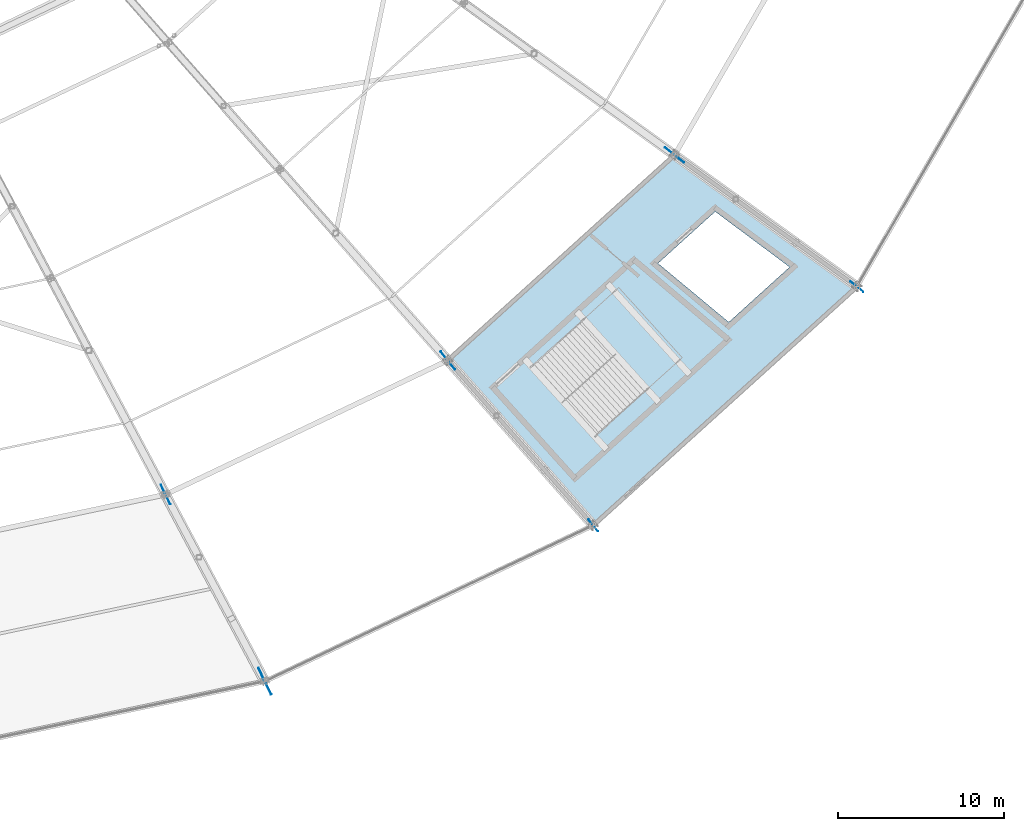
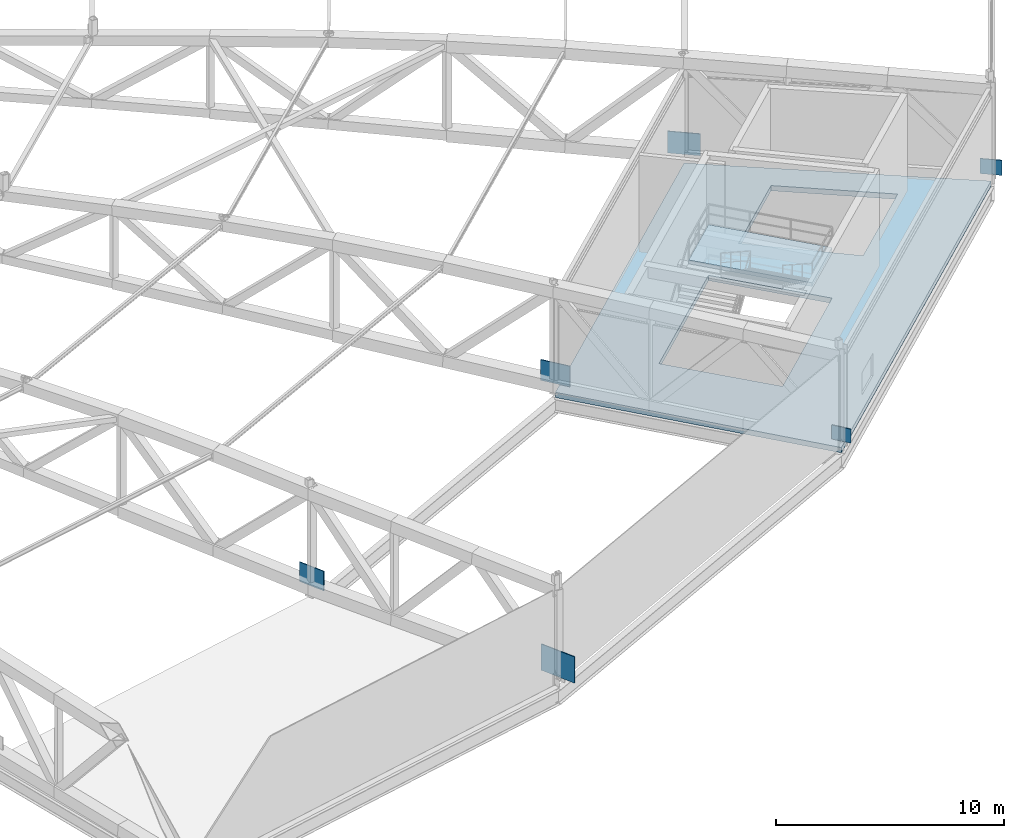
# One storey, part 142 of 162: 6 plates, 2 slabs, 1 element without a shape of its own.
"""IFC4 building model written with IfcOpenShell, lengths in metres."""

from ifc_helpers import new_model, si_unit, direction, frame, origin, origin_2d, place, context, subcontext, project, spatial, polyline, rectangle, outline, extrude, material, layer, layer_set, type_object, element, aggregate, save


model = new_model("IFC4")

# Units and contexts
model_context = context("Model", 3, precision=1e-05, world=origin(), true_north=direction((0.0, 1.0)))
body_context = subcontext(model_context, "Body", "Model", "MODEL_VIEW")
ifc_project = project(units=[si_unit("LENGTHUNIT", "METRE"), si_unit("AREAUNIT", "SQUARE_METRE"), si_unit("VOLUMEUNIT", "CUBIC_METRE"), si_unit("PLANEANGLEUNIT", "RADIAN"), si_unit("MASSUNIT", "GRAM", prefix="KILO")], contexts=[model_context])

# Site, building, storey
site_placement = place(None, origin())
site = spatial("IfcSite", under=ifc_project, at=site_placement, CompositionType="ELEMENT")
building_placement = place(site_placement, origin())
building = spatial("IfcBuilding", under=site, at=building_placement, Name="Kazemori Nagisa Stadium", CompositionType="ELEMENT")
storey_placement = place(building_placement, frame((0.0, 0.0, 36.719970703125)))
storey = spatial("IfcBuildingStorey", under=building, at=storey_placement, Name="RF", CompositionType="ELEMENT", Elevation=36.719970703125)

# Plates
ifc_material_1 = material(Name="Steel SN490B", Category="steel")
ifc_layer_1 = layer(ifc_material_1, 0.035888671875, Name="Steel SN490B", Category="steel")
ifc_layer_set_1 = layer_set([ifc_layer_1], Name="Steel SN490B")
plate_type_1 = type_object("IfcPlateType", Name="GussetPlate_GP-01", PredefinedType="SHEET", material=ifc_layer_set_1)
plate_1_placement = place(storey_placement, frame((185.597900390625, 30.94091796875, 0.360107421875), z_axis=(0.0, 0.0, 1.0), x_axis=(0.623489801853, -0.781831482473, 0.0)))
element("IfcPlate", 1, at=plate_1_placement, inside=storey, type_object=plate_type_1, Name="Roof truss anchor gusset plate GP-01 RT-25-R3", PredefinedType="SHEET", context=body_context, shape_type="SweptSolid", body=[
    extrude(rectangle(XDim=0.89990234375, YDim=0.035888671875, at=origin_2d()), origin(), (0.0, 0.0, 1.0), 0.75),
])
ifc_layer_2 = layer(ifc_material_1, 0.0400390625, Name="Steel SN490B", Category="steel")
ifc_layer_set_2 = layer_set([ifc_layer_2], Name="Steel SN490B")
plate_type_2 = type_object("IfcPlateType", Name="GussetPlate_GP-02", PredefinedType="SHEET", material=ifc_layer_set_2)
plate_2_placement = place(storey_placement, frame((201.495361328125, 45.332275390625, 0.360107421875), z_axis=(0.0, 0.0, 1.0), x_axis=(0.781831482473, -0.623489801853, 0.0)))
element("IfcPlate", 2, at=plate_2_placement, inside=storey, type_object=plate_type_2, Name="Roof truss anchor gusset plate GP-02 RT-26-R3", PredefinedType="SHEET", context=body_context, shape_type="SweptSolid", body=[
    extrude(rectangle(XDim=0.97998046875, YDim=0.0400390625, at=origin_2d()), origin(), (0.0, 0.0, 1.0), 0.81005859375),
])
ifc_layer_3 = layer(ifc_material_1, 0.0400390625, Name="Steel SN490B", Category="steel")
ifc_layer_set_3 = layer_set([ifc_layer_3], Name="Steel SN490B")
plate_type_3 = type_object("IfcPlateType", Name="GussetPlate_GP-06", PredefinedType="SHEET", material=ifc_layer_set_3)
plate_3_placement = place(storey_placement, frame((159.81201171875, 32.80078125, 0.47998046875), z_axis=(0.0, 0.0, 1.0), x_axis=(0.433883739113, -0.900968867905, 0.0)))
element("IfcPlate", 3, at=plate_3_placement, inside=storey, type_object=plate_type_3, Name="Roof truss anchor gusset plate GP-06 RT-24-R2", PredefinedType="SHEET", context=body_context, shape_type="SweptSolid", body=[
    extrude(rectangle(XDim=1.300048828125, YDim=0.0400390625, at=origin_2d()), origin(), (0.0, 0.0, 1.0), 1.050048828125),
])
ifc_layer_4 = layer(ifc_material_1, 0.0439453125, Name="Steel SN490B", Category="steel")
ifc_layer_set_4 = layer_set([ifc_layer_4], Name="Steel SN490B")
plate_type_4 = type_object("IfcPlateType", Name="GussetPlate_GP-07", PredefinedType="SHEET", material=ifc_layer_set_4)
plate_4_placement = place(storey_placement, frame((176.834228515625, 40.88916015625, 0.47998046875), z_axis=(0.0, 0.0, 1.0), x_axis=(0.623489801853, -0.781831482473, 0.0)))
element("IfcPlate", 4, at=plate_4_placement, inside=storey, type_object=plate_type_4, Name="Roof truss anchor gusset plate GP-07 RT-25-R2", PredefinedType="SHEET", context=body_context, shape_type="SweptSolid", body=[
    extrude(rectangle(XDim=1.3798828125, YDim=0.0439453125, at=origin_2d()), origin(), (0.0, 0.0, 1.0), 1.110107421875),
])
ifc_layer_5 = layer(ifc_material_1, 0.048095703125, Name="Steel SN490B", Category="steel")
ifc_layer_set_5 = layer_set([ifc_layer_5], Name="Steel SN490B")
plate_type_5 = type_object("IfcPlateType", Name="GussetPlate_GP-08", PredefinedType="SHEET", material=ifc_layer_set_5)
plate_5_placement = place(storey_placement, frame((190.506103515625, 53.265869140625, 0.47998046875), z_axis=(0.0, 0.0, 1.0), x_axis=(0.781831482473, -0.623489801853, 0.0)))
element("IfcPlate", 5, at=plate_5_placement, inside=storey, type_object=plate_type_5, Name="Roof truss anchor gusset plate GP-08 RT-26-R2", PredefinedType="SHEET", context=body_context, shape_type="SweptSolid", body=[
    extrude(rectangle(XDim=1.4599609375, YDim=0.048095703125, at=origin_2d()), origin(), (0.0, 0.0, 1.0), 1.169921875),
])
ifc_layer_6 = layer(ifc_material_1, 0.048095703125, Name="Steel SN490B", Category="steel")
ifc_layer_set_6 = layer_set([ifc_layer_6], Name="Steel SN490B")
plate_type_6 = type_object("IfcPlateType", Name="GussetPlate_GP-12", PredefinedType="SHEET", material=ifc_layer_set_6)
plate_6_placement = place(storey_placement, frame((165.8046875, 21.53564453125, 0.35986328125), z_axis=(0.0, 0.0, 1.0), x_axis=(0.433883739113, -0.900968867905, 0.0)))
element("IfcPlate", 6, at=plate_6_placement, inside=storey, type_object=plate_type_6, Name="Roof truss anchor gusset plate GP-12 RT-24-R3", PredefinedType="SHEET", context=body_context, shape_type="SweptSolid", body=[
    extrude(rectangle(XDim=1.780029296875, YDim=0.048095703125, at=origin_2d()), origin(), (0.0, 0.0, 1.0), 1.409912109375),
])

# Stair, slab
ifc_material_2 = material(Name="Concrete C36/45 (Fc36)", Category="concrete")
stair_type = type_object("IfcStairType", Name="Stair_CORE_32", PredefinedType="TWO_STRAIGHT_RUN_STAIR", material=ifc_material_2)
stair_placement = place(storey_placement, origin())
stair = element("IfcStair", 7, at=stair_placement, inside=storey, type_object=stair_type, Name="Exit stair ST04 RF", PredefinedType="TWO_STRAIGHT_RUN_STAIR")
ifc_layer_7 = layer(ifc_material_2, 0.199951171875, Name="Concrete C36/45 (Fc36)", Category="concrete")
ifc_layer_set_7 = layer_set([ifc_layer_7], Name="Concrete C36/45 (Fc36)")
slab_type_1 = type_object("IfcSlabType", Name="Slab_SL-LND-200", PredefinedType="LANDING", material=ifc_layer_set_7)
slab_1_placement = place(storey_placement, frame((0.0, 0.0, 2.52001953125)))
slab_1 = element("IfcSlab", 8, at=slab_1_placement, type_object=slab_type_1, Name="Exit stair ST04 RF mid-landing", PredefinedType="LANDING", context=body_context, shape_type="SweptSolid", body=[
    extrude(outline(polyline([(185.02587890625, 43.369384765625), (187.138671875, 45.2822265625), (190.964111328125, 41.056396484375), (188.851318359375, 39.143798828125), (185.02587890625, 43.369384765625)])), origin(), (0.0, 0.0, 1.0), 0.199951171875),
])
aggregate(stair, [slab_1])

# Slab
ifc_layer_8 = layer(ifc_material_2, 0.280029296875, Name="Concrete C36/45 (Fc36)", Category="concrete")
ifc_layer_set_8 = layer_set([ifc_layer_8], Name="Concrete C36/45 (Fc36)")
slab_type_2 = type_object("IfcSlabType", Name="Slab_SL-RF-280", PredefinedType="FLOOR", material=ifc_layer_set_8)
slab_2_placement = place(storey_placement, frame((0.0, 0.0, -0.280029296875)))
element("IfcSlab", 9, at=slab_2_placement, inside=storey, type_object=slab_type_2, Name="Concourse floor slab RF bay 25", PredefinedType="FLOOR", context=body_context, shape_type="SweptSolid", body=[
    extrude(outline(polyline([(176.834228515625, 40.88916015625), (190.506103515625, 53.265869140625), (201.495361328125, 45.332275390625), (185.597900390625, 30.94091796875), (176.834228515625, 40.88916015625)]), holes=[polyline([(181.87890625, 40.5205078125), (187.138671875, 45.2822265625), (190.964111328125, 41.056396484375), (185.7041015625, 36.294921875), (181.87890625, 40.5205078125)]), polyline([(189.504638671875, 46.739501953125), (192.953857421875, 49.86181640625), (197.442138671875, 46.5166015625), (193.771728515625, 43.19384765625), (189.504638671875, 46.739501953125)])]), origin(), (0.0, 0.0, 1.0), 0.280029296875),
])

save(model, "model.ifc")
